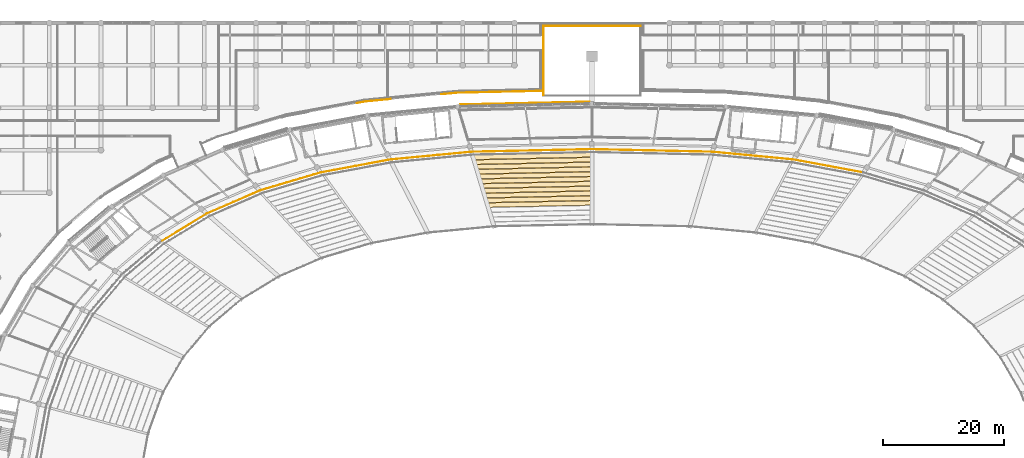
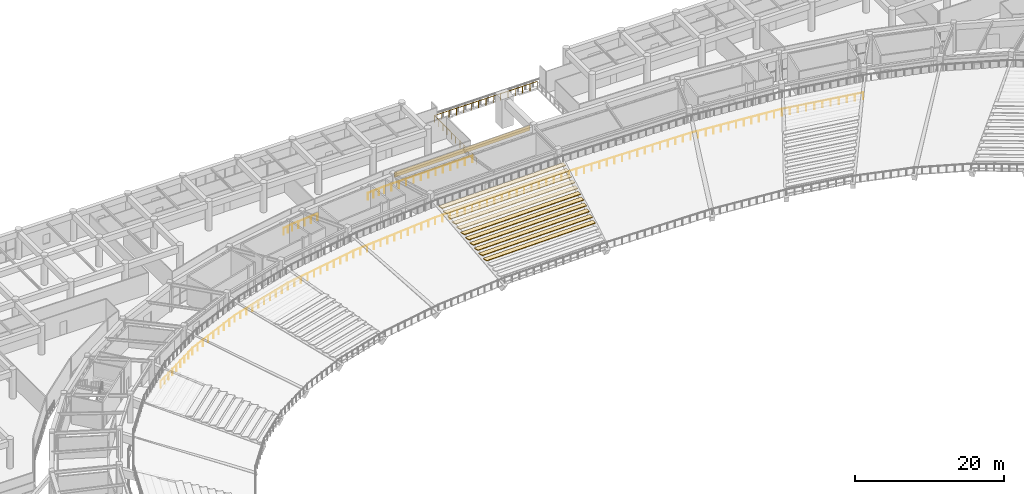
# One storey, part 134 of 137: 12 coverings, 4 railings.
"""IFC4 building model written with IfcOpenShell, lengths in metres."""

from ifc_helpers import new_model, si_unit, direction, frame, origin, origin_2d, place, context, subcontext, project, spatial, polyline, rectangle, circle, outline, extrude, material, layer, layer_set, type_object, element, save


model = new_model("IFC4")

# Units and contexts
model_context = context("Model", 3, precision=1e-05, world=origin(), true_north=direction((0.0, 1.0)))
body_context = subcontext(model_context, "Body", "Model", "MODEL_VIEW")
ifc_project = project(units=[si_unit("LENGTHUNIT", "METRE"), si_unit("AREAUNIT", "SQUARE_METRE"), si_unit("VOLUMEUNIT", "CUBIC_METRE"), si_unit("PLANEANGLEUNIT", "RADIAN"), si_unit("MASSUNIT", "GRAM", prefix="KILO")], contexts=[model_context])

# Site, building, storey
site_placement = place(None, origin())
site = spatial("IfcSite", under=ifc_project, at=site_placement, CompositionType="ELEMENT")
building_placement = place(site_placement, origin())
building = spatial("IfcBuilding", under=site, at=building_placement, Name="Mphavela Belvedere Stadium", CompositionType="ELEMENT")
storey_placement = place(building_placement, frame((0.0, 0.0, 19.199951171875)))
storey = spatial("IfcBuildingStorey", under=building, at=storey_placement, Name="L04", CompositionType="ELEMENT", Elevation=19.199951171875)

# Coverings
ifc_material_1 = material(Name="Carved classical limestone entablature frieze cladding", Category="masonry")
ifc_layer_1 = layer(ifc_material_1, 0.06005859375)
ifc_layer_set_1 = layer_set([ifc_layer_1], Name="Carved classical limestone entablature frieze cladding")
covering_type_1 = type_object("IfcCoveringType", Name="COV-FRIEZE-CLAD", PredefinedType="CLADDING", material=ifc_layer_set_1)
covering_1_placement = place(storey_placement, frame((103.935791015625, 160.751708984375, 3.594970703125), z_axis=(0.0, 0.0, 1.0), x_axis=(-0.999769581002, -0.02146590093, 0.0)))
element("IfcCovering", 1, at=covering_1_placement, inside=storey, type_object=covering_type_1, Name="Classical entablature frieze cladding L04-13", PredefinedType="CLADDING", context=body_context, shape_type="SweptSolid", body=[
    extrude(rectangle(XDim=21.32373046875, YDim=0.06005859375, at=origin_2d()), origin(), (0.0, 0.0, 1.0), 0.85009765625),
])
ifc_material_2 = material(Name="Precast seating row terrazzo finish", Category="concrete")
ifc_layer_2 = layer(ifc_material_2, 0.1201171875)
ifc_layer_set_2 = layer_set([ifc_layer_2], Name="Precast seating row terrazzo finish")
covering_type_2 = type_object("IfcCoveringType", Name="COV-SEAT-ROW-U", PredefinedType="FLOORING", material=ifc_layer_set_2)
covering_2_placement = place(storey_placement, frame((0.0, 0.0, -1.53662109375)))
element("IfcCovering", 2, at=covering_2_placement, inside=storey, type_object=covering_type_2, Name="Upper stand seating row bench B13-R05", PredefinedType="FLOORING", context=body_context, shape_type="SweptSolid", body=[
    extrude(outline(polyline([(115.0, 143.962158203125), (97.90087890625, 143.593994140625), (97.681884765625, 144.318115234375), (115.0, 144.691162109375), (115.0, 143.962158203125)])), origin(), (0.0, 0.0, 1.0), 0.119873046875),
])
covering_3_placement = place(storey_placement, frame((0.0, 0.0, -1.070068359375)))
element("IfcCovering", 3, at=covering_3_placement, inside=storey, type_object=covering_type_2, Name="Upper stand seating row bench B13-R06", PredefinedType="FLOORING", context=body_context, shape_type="SweptSolid", body=[
    extrude(outline(polyline([(115.0, 144.75439453125), (97.6630859375, 144.381103515625), (97.444091796875, 145.10546875), (115.0, 145.4833984375), (115.0, 144.75439453125)])), origin(), (0.0, 0.0, 1.0), 0.1201171875),
])
covering_4_placement = place(storey_placement, frame((0.0, 0.0, -0.603271484375)))
element("IfcCovering", 4, at=covering_4_placement, inside=storey, type_object=covering_type_2, Name="Upper stand seating row bench B13-R07", PredefinedType="FLOORING", context=body_context, shape_type="SweptSolid", body=[
    extrude(outline(polyline([(115.0, 145.546875), (97.425048828125, 145.16845703125), (97.206298828125, 145.892578125), (115.0, 146.275634765625), (115.0, 145.546875)])), origin(), (0.0, 0.0, 1.0), 0.1201171875),
])
covering_5_placement = place(storey_placement, frame((0.0, 0.0, -0.13671875)))
element("IfcCovering", 5, at=covering_5_placement, inside=storey, type_object=covering_type_2, Name="Upper stand seating row bench B13-R08", PredefinedType="FLOORING", context=body_context, shape_type="SweptSolid", body=[
    extrude(outline(polyline([(115.0, 146.339111328125), (97.187255859375, 145.95556640625), (96.968505859375, 146.6796875), (115.0, 147.068115234375), (115.0, 146.339111328125)])), origin(), (0.0, 0.0, 1.0), 0.1201171875),
])
covering_6_placement = place(storey_placement, frame((0.0, 0.0, 0.330078125)))
element("IfcCovering", 6, at=covering_6_placement, inside=storey, type_object=covering_type_2, Name="Upper stand seating row bench B13-R09", PredefinedType="FLOORING", context=body_context, shape_type="SweptSolid", body=[
    extrude(outline(polyline([(115.0, 147.13134765625), (96.949462890625, 146.74267578125), (96.730712890625, 147.466796875), (115.0, 147.8603515625), (115.0, 147.13134765625)])), origin(), (0.0, 0.0, 1.0), 0.119873046875),
])
covering_7_placement = place(storey_placement, frame((0.0, 0.0, 0.796630859375)))
element("IfcCovering", 7, at=covering_7_placement, inside=storey, type_object=covering_type_2, Name="Upper stand seating row bench B13-R10", PredefinedType="FLOORING", context=body_context, shape_type="SweptSolid", body=[
    extrude(outline(polyline([(115.0, 147.923583984375), (96.711669921875, 147.52978515625), (96.492919921875, 148.254150390625), (115.0, 148.652587890625), (115.0, 147.923583984375)])), origin(), (0.0, 0.0, 1.0), 0.1201171875),
])
covering_8_placement = place(storey_placement, frame((0.0, 0.0, 1.263427734375)))
element("IfcCovering", 8, at=covering_8_placement, inside=storey, type_object=covering_type_2, Name="Upper stand seating row bench B13-R11", PredefinedType="FLOORING", context=body_context, shape_type="SweptSolid", body=[
    extrude(outline(polyline([(115.0, 148.716064453125), (96.473876953125, 148.317138671875), (96.2548828125, 149.041259765625), (115.0, 149.44482421875), (115.0, 148.716064453125)])), origin(), (0.0, 0.0, 1.0), 0.119873046875),
])
covering_9_placement = place(storey_placement, frame((0.0, 0.0, 1.72998046875)))
element("IfcCovering", 9, at=covering_9_placement, inside=storey, type_object=covering_type_2, Name="Upper stand seating row bench B13-R12", PredefinedType="FLOORING", context=body_context, shape_type="SweptSolid", body=[
    extrude(outline(polyline([(115.0, 149.50830078125), (96.23583984375, 149.104248046875), (96.01708984375, 149.82861328125), (115.0, 150.2373046875), (115.0, 149.50830078125)])), origin(), (0.0, 0.0, 1.0), 0.1201171875),
])
covering_10_placement = place(storey_placement, frame((0.0, 0.0, 2.19677734375)))
element("IfcCovering", 10, at=covering_10_placement, inside=storey, type_object=covering_type_2, Name="Upper stand seating row bench B13-R13", PredefinedType="FLOORING", context=body_context, shape_type="SweptSolid", body=[
    extrude(outline(polyline([(115.0, 150.300537109375), (95.998046875, 149.8916015625), (95.779296875, 150.61572265625), (115.0, 151.029541015625), (115.0, 150.300537109375)])), origin(), (0.0, 0.0, 1.0), 0.119873046875),
])
covering_11_placement = place(storey_placement, frame((0.0, 0.0, 2.663330078125)))
element("IfcCovering", 11, at=covering_11_placement, inside=storey, type_object=covering_type_2, Name="Upper stand seating row bench B13-R14", PredefinedType="FLOORING", context=body_context, shape_type="SweptSolid", body=[
    extrude(outline(polyline([(115.0, 151.093017578125), (95.76025390625, 150.6787109375), (95.54150390625, 151.40283203125), (115.0, 151.82177734375), (115.0, 151.093017578125)])), origin(), (0.0, 0.0, 1.0), 0.1201171875),
])
covering_12_placement = place(storey_placement, frame((0.0, 0.0, 3.130126953125)))
element("IfcCovering", 12, at=covering_12_placement, inside=storey, type_object=covering_type_2, Name="Upper stand seating row bench B13-R15", PredefinedType="FLOORING", context=body_context, shape_type="SweptSolid", body=[
    extrude(outline(polyline([(115.0, 151.88525390625), (95.5224609375, 151.4658203125), (95.3037109375, 152.18994140625), (115.0, 152.614013671875), (115.0, 151.88525390625)])), origin(), (0.0, 0.0, 1.0), 0.119873046875),
])

# Railings
ifc_material_3 = material(Name="Bronze and laminated glass stadium balustrade", Category="glass")
railing_type = type_object("IfcRailingType", Name="RAL-BALUSTRADE-1120", PredefinedType="BALUSTRADE", material=ifc_material_3)
railing_1_placement = place(storey_placement, frame((123.0, 173.5, 0.0)))
element("IfcRailing", 13, at=railing_1_placement, inside=storey, type_object=railing_type, Name="North Mast and Ceremonial End Forecourt court balustrade L04-B", PredefinedType="BALUSTRADE", context=body_context, shape_type="SweptSolid", body=[
    extrude(circle(Radius=0.02392578125, at=origin_2d()), frame((0.0, 0.0, 1.09619140625), z_axis=(-1.0, 0.0, 0.0), x_axis=(0.0, -1.0, 0.0)), (0.0, 0.0, 1.0), 16.0),
    extrude(circle(Radius=0.02392578125, at=origin_2d()), frame((-16.0, 0.0, 1.09619140625), z_axis=(0.0, -1.0, 0.0), x_axis=(1.0, 0.0, 0.0)), (0.0, 0.0, 1.0), 11.419921875),
    extrude(circle(Radius=0.02099609375, at=origin_2d()), origin(), (0.0, 0.0, 1.0), 1.072021484375),
    extrude(circle(Radius=0.02099609375, at=origin_2d()), frame((-1.142822265625, 0.0, 0.0)), (0.0, 0.0, 1.0), 1.072021484375),
    extrude(circle(Radius=0.02099609375, at=origin_2d()), frame((-2.28564453125, 0.0, 0.0)), (0.0, 0.0, 1.0), 1.072021484375),
    extrude(circle(Radius=0.02099609375, at=origin_2d()), frame((-3.428466796875, 0.0, 0.0)), (0.0, 0.0, 1.0), 1.072021484375),
    extrude(circle(Radius=0.02099609375, at=origin_2d()), frame((-4.571533203125, 0.0, 0.0)), (0.0, 0.0, 1.0), 1.072021484375),
    extrude(circle(Radius=0.02099609375, at=origin_2d()), frame((-5.71435546875, 0.0, 0.0)), (0.0, 0.0, 1.0), 1.072021484375),
    extrude(circle(Radius=0.02099609375, at=origin_2d()), frame((-6.857177734375, 0.0, 0.0)), (0.0, 0.0, 1.0), 1.072021484375),
    extrude(circle(Radius=0.02099609375, at=origin_2d()), frame((-8.0, 0.0, 0.0)), (0.0, 0.0, 1.0), 1.072021484375),
    extrude(circle(Radius=0.02099609375, at=origin_2d()), frame((-9.142822265625, 0.0, 0.0)), (0.0, 0.0, 1.0), 1.072021484375),
    extrude(circle(Radius=0.02099609375, at=origin_2d()), frame((-10.28564453125, 0.0, 0.0)), (0.0, 0.0, 1.0), 1.072021484375),
    extrude(circle(Radius=0.02099609375, at=origin_2d()), frame((-11.428466796875, 0.0, 0.0)), (0.0, 0.0, 1.0), 1.072021484375),
    extrude(circle(Radius=0.02099609375, at=origin_2d()), frame((-12.571533203125, 0.0, 0.0)), (0.0, 0.0, 1.0), 1.072021484375),
    extrude(circle(Radius=0.02099609375, at=origin_2d()), frame((-13.71435546875, 0.0, 0.0)), (0.0, 0.0, 1.0), 1.072021484375),
    extrude(circle(Radius=0.02099609375, at=origin_2d()), frame((-14.857177734375, 0.0, 0.0)), (0.0, 0.0, 1.0), 1.072021484375),
    extrude(circle(Radius=0.02099609375, at=origin_2d()), frame((-16.0, 0.0, 0.0)), (0.0, 0.0, 1.0), 1.072021484375),
    extrude(circle(Radius=0.02099609375, at=origin_2d()), frame((-16.0, -1.14208984375, 0.0)), (0.0, 0.0, 1.0), 1.072021484375),
    extrude(circle(Radius=0.02099609375, at=origin_2d()), frame((-16.0, -2.283935546875, 0.0)), (0.0, 0.0, 1.0), 1.072021484375),
    extrude(circle(Radius=0.02099609375, at=origin_2d()), frame((-16.0, -3.426025390625, 0.0)), (0.0, 0.0, 1.0), 1.072021484375),
    extrude(circle(Radius=0.02099609375, at=origin_2d()), frame((-16.0, -4.56787109375, 0.0)), (0.0, 0.0, 1.0), 1.072021484375),
    extrude(circle(Radius=0.02099609375, at=origin_2d()), frame((-16.0, -5.7099609375, 0.0)), (0.0, 0.0, 1.0), 1.072021484375),
    extrude(circle(Radius=0.02099609375, at=origin_2d()), frame((-16.0, -6.85205078125, 0.0)), (0.0, 0.0, 1.0), 1.072021484375),
    extrude(circle(Radius=0.02099609375, at=origin_2d()), frame((-16.0, -7.993896484375, 0.0)), (0.0, 0.0, 1.0), 1.072021484375),
    extrude(circle(Radius=0.02099609375, at=origin_2d()), frame((-16.0, -9.135986328125, 0.0)), (0.0, 0.0, 1.0), 1.072021484375),
    extrude(circle(Radius=0.02099609375, at=origin_2d()), frame((-16.0, -10.27783203125, 0.0)), (0.0, 0.0, 1.0), 1.072021484375),
    extrude(circle(Radius=0.02099609375, at=origin_2d()), frame((-16.0, -11.419921875, 0.0)), (0.0, 0.0, 1.0), 1.072021484375),
])
railing_2_placement = place(storey_placement, frame((159.72705078125, 149.326416015625, 0.0)))
element("IfcRailing", 14, at=railing_2_placement, inside=storey, type_object=railing_type, Name="Upper bowl concourse balustrade L04-G2", PredefinedType="BALUSTRADE", context=body_context, shape_type="SweptSolid", body=[
    extrude(circle(Radius=0.02392578125, at=origin_2d()), frame((0.0, 0.0, 1.09619140625), z_axis=(-0.983097019328, 0.183085364213, 0.0), x_axis=(-0.183085364213, -0.983097019328, 0.0)), (0.0, 0.0, 1.0), 11.6279296875),
    extrude(circle(Radius=0.02392578125, at=origin_2d()), frame((-11.431396484375, 2.12890625, 1.09619140625), z_axis=(-0.995484652268, 0.094922637441, 0.0), x_axis=(-0.094922637441, -0.995484652268, 0.0)), (0.0, 0.0, 1.0), 13.495361328125),
    extrude(circle(Radius=0.02392578125, at=origin_2d()), frame((-24.86572265625, 3.409912109375, 1.09619140625), z_axis=(-0.999768180107, 0.021531048426, 0.0), x_axis=(-0.021531048426, -0.999768180107, 0.0)), (0.0, 0.0, 1.0), 19.865966796875),
    extrude(circle(Radius=0.02392578125, at=origin_2d()), frame((-44.72705078125, 3.837646484375, 1.09619140625), z_axis=(-0.999768180107, -0.021531048426, 0.0), x_axis=(0.021531048426, -0.999768180107, 0.0)), (0.0, 0.0, 1.0), 19.865966796875),
    extrude(circle(Radius=0.02392578125, at=origin_2d()), frame((-64.58837890625, 3.409912109375, 1.09619140625), z_axis=(-0.995484652268, -0.094922637441, 0.0), x_axis=(0.094922637441, -0.995484652268, 0.0)), (0.0, 0.0, 1.0), 13.495361328125),
    extrude(circle(Radius=0.02392578125, at=origin_2d()), frame((-78.022705078125, 2.12890625, 1.09619140625), z_axis=(-0.983097019328, -0.183085364213, 0.0), x_axis=(0.183085364213, -0.983097019328, 0.0)), (0.0, 0.0, 1.0), 11.6279296875),
    extrude(circle(Radius=0.02392578125, at=origin_2d()), frame((-89.4541015625, 0.0, 1.09619140625), z_axis=(-0.958653749155, -0.284575102972, 0.0), x_axis=(0.284575102972, -0.958653749155, 0.0)), (0.0, 0.0, 1.0), 10.43310546875),
    extrude(circle(Radius=0.02392578125, at=origin_2d()), frame((-99.455810546875, -2.968994140625, 1.09619140625), z_axis=(-0.917501847377, -0.39773151756, 0.0), x_axis=(0.39773151756, -0.917501847377, 0.0)), (0.0, 0.0, 1.0), 9.552490234375),
    extrude(circle(Radius=0.02392578125, at=origin_2d()), frame((-108.22021484375, -6.768310546875, 1.09619140625), z_axis=(-0.85432046282, -0.519746617889, 0.0), x_axis=(0.519746617889, -0.85432046282, 0.0)), (0.0, 0.0, 1.0), 8.892822265625),
    extrude(circle(Radius=0.02099609375, at=origin_2d()), origin(), (0.0, 0.0, 1.0), 1.072021484375),
    extrude(circle(Radius=0.02099609375, at=origin_2d()), frame((-1.14306640625, 0.212890625, 0.0)), (0.0, 0.0, 1.0), 1.072021484375),
    extrude(circle(Radius=0.02099609375, at=origin_2d()), frame((-2.286376953125, 0.42578125, 0.0)), (0.0, 0.0, 1.0), 1.072021484375),
    extrude(circle(Radius=0.02099609375, at=origin_2d()), frame((-3.429443359375, 0.638671875, 0.0)), (0.0, 0.0, 1.0), 1.072021484375),
    extrude(circle(Radius=0.02099609375, at=origin_2d()), frame((-4.572509765625, 0.8515625, 0.0)), (0.0, 0.0, 1.0), 1.072021484375),
    extrude(circle(Radius=0.02099609375, at=origin_2d()), frame((-5.7158203125, 1.064453125, 0.0)), (0.0, 0.0, 1.0), 1.072021484375),
    extrude(circle(Radius=0.02099609375, at=origin_2d()), frame((-6.85888671875, 1.27734375, 0.0)), (0.0, 0.0, 1.0), 1.072021484375),
    extrude(circle(Radius=0.02099609375, at=origin_2d()), frame((-8.001953125, 1.490234375, 0.0)), (0.0, 0.0, 1.0), 1.072021484375),
    extrude(circle(Radius=0.02099609375, at=origin_2d()), frame((-9.14501953125, 1.703125, 0.0)), (0.0, 0.0, 1.0), 1.072021484375),
    extrude(circle(Radius=0.02099609375, at=origin_2d()), frame((-10.288330078125, 1.916015625, 0.0)), (0.0, 0.0, 1.0), 1.072021484375),
    extrude(circle(Radius=0.02099609375, at=origin_2d()), frame((-11.431396484375, 2.12890625, 0.0)), (0.0, 0.0, 1.0), 1.072021484375),
    extrude(circle(Radius=0.02099609375, at=origin_2d()), frame((-12.551025390625, 2.235595703125, 0.0)), (0.0, 0.0, 1.0), 1.072021484375),
    extrude(circle(Radius=0.02099609375, at=origin_2d()), frame((-13.67041015625, 2.34228515625, 0.0)), (0.0, 0.0, 1.0), 1.072021484375),
    extrude(circle(Radius=0.02099609375, at=origin_2d()), frame((-14.7900390625, 2.44921875, 0.0)), (0.0, 0.0, 1.0), 1.072021484375),
    extrude(circle(Radius=0.02099609375, at=origin_2d()), frame((-15.909423828125, 2.555908203125, 0.0)), (0.0, 0.0, 1.0), 1.072021484375),
    extrude(circle(Radius=0.02099609375, at=origin_2d()), frame((-17.029052734375, 2.66259765625, 0.0)), (0.0, 0.0, 1.0), 1.072021484375),
    extrude(circle(Radius=0.02099609375, at=origin_2d()), frame((-18.1484375, 2.76953125, 0.0)), (0.0, 0.0, 1.0), 1.072021484375),
    extrude(circle(Radius=0.02099609375, at=origin_2d()), frame((-19.26806640625, 2.876220703125, 0.0)), (0.0, 0.0, 1.0), 1.072021484375),
    extrude(circle(Radius=0.02099609375, at=origin_2d()), frame((-20.3876953125, 2.98291015625, 0.0)), (0.0, 0.0, 1.0), 1.072021484375),
    extrude(circle(Radius=0.02099609375, at=origin_2d()), frame((-21.507080078125, 3.089599609375, 0.0)), (0.0, 0.0, 1.0), 1.072021484375),
    extrude(circle(Radius=0.02099609375, at=origin_2d()), frame((-22.626708984375, 3.1962890625, 0.0)), (0.0, 0.0, 1.0), 1.072021484375),
    extrude(circle(Radius=0.02099609375, at=origin_2d()), frame((-23.74609375, 3.30322265625, 0.0)), (0.0, 0.0, 1.0), 1.072021484375),
    extrude(circle(Radius=0.02099609375, at=origin_2d()), frame((-24.86572265625, 3.409912109375, 0.0)), (0.0, 0.0, 1.0), 1.072021484375),
    extrude(circle(Radius=0.02099609375, at=origin_2d()), frame((-26.033935546875, 3.43505859375, 0.0)), (0.0, 0.0, 1.0), 1.072021484375),
    extrude(circle(Radius=0.02099609375, at=origin_2d()), frame((-27.202392578125, 3.460205078125, 0.0)), (0.0, 0.0, 1.0), 1.072021484375),
    extrude(circle(Radius=0.02099609375, at=origin_2d()), frame((-28.37060546875, 3.4853515625, 0.0)), (0.0, 0.0, 1.0), 1.072021484375),
    extrude(circle(Radius=0.02099609375, at=origin_2d()), frame((-29.5390625, 3.510498046875, 0.0)), (0.0, 0.0, 1.0), 1.072021484375),
    extrude(circle(Radius=0.02099609375, at=origin_2d()), frame((-30.707275390625, 3.53564453125, 0.0)), (0.0, 0.0, 1.0), 1.072021484375),
    extrude(circle(Radius=0.02099609375, at=origin_2d()), frame((-31.87548828125, 3.560791015625, 0.0)), (0.0, 0.0, 1.0), 1.072021484375),
    extrude(circle(Radius=0.02099609375, at=origin_2d()), frame((-33.0439453125, 3.5859375, 0.0)), (0.0, 0.0, 1.0), 1.072021484375),
    extrude(circle(Radius=0.02099609375, at=origin_2d()), frame((-34.212158203125, 3.611083984375, 0.0)), (0.0, 0.0, 1.0), 1.072021484375),
    extrude(circle(Radius=0.02099609375, at=origin_2d()), frame((-35.380615234375, 3.636474609375, 0.0)), (0.0, 0.0, 1.0), 1.072021484375),
    extrude(circle(Radius=0.02099609375, at=origin_2d()), frame((-36.548828125, 3.66162109375, 0.0)), (0.0, 0.0, 1.0), 1.072021484375),
    extrude(circle(Radius=0.02099609375, at=origin_2d()), frame((-37.71728515625, 3.686767578125, 0.0)), (0.0, 0.0, 1.0), 1.072021484375),
    extrude(circle(Radius=0.02099609375, at=origin_2d()), frame((-38.885498046875, 3.7119140625, 0.0)), (0.0, 0.0, 1.0), 1.072021484375),
    extrude(circle(Radius=0.02099609375, at=origin_2d()), frame((-40.0537109375, 3.737060546875, 0.0)), (0.0, 0.0, 1.0), 1.072021484375),
    extrude(circle(Radius=0.02099609375, at=origin_2d()), frame((-41.22216796875, 3.76220703125, 0.0)), (0.0, 0.0, 1.0), 1.072021484375),
    extrude(circle(Radius=0.02099609375, at=origin_2d()), frame((-42.390380859375, 3.787353515625, 0.0)), (0.0, 0.0, 1.0), 1.072021484375),
    extrude(circle(Radius=0.02099609375, at=origin_2d()), frame((-43.558837890625, 3.8125, 0.0)), (0.0, 0.0, 1.0), 1.072021484375),
    extrude(circle(Radius=0.02099609375, at=origin_2d()), frame((-44.72705078125, 3.837646484375, 0.0)), (0.0, 0.0, 1.0), 1.072021484375),
    extrude(circle(Radius=0.02099609375, at=origin_2d()), frame((-45.895263671875, 3.8125, 0.0)), (0.0, 0.0, 1.0), 1.072021484375),
    extrude(circle(Radius=0.02099609375, at=origin_2d()), frame((-47.063720703125, 3.787353515625, 0.0)), (0.0, 0.0, 1.0), 1.072021484375),
    extrude(circle(Radius=0.02099609375, at=origin_2d()), frame((-48.23193359375, 3.76220703125, 0.0)), (0.0, 0.0, 1.0), 1.072021484375),
    extrude(circle(Radius=0.02099609375, at=origin_2d()), frame((-49.400390625, 3.737060546875, 0.0)), (0.0, 0.0, 1.0), 1.072021484375),
    extrude(circle(Radius=0.02099609375, at=origin_2d()), frame((-50.568603515625, 3.7119140625, 0.0)), (0.0, 0.0, 1.0), 1.072021484375),
    extrude(circle(Radius=0.02099609375, at=origin_2d()), frame((-51.73681640625, 3.686767578125, 0.0)), (0.0, 0.0, 1.0), 1.072021484375),
    extrude(circle(Radius=0.02099609375, at=origin_2d()), frame((-52.9052734375, 3.66162109375, 0.0)), (0.0, 0.0, 1.0), 1.072021484375),
    extrude(circle(Radius=0.02099609375, at=origin_2d()), frame((-54.073486328125, 3.636474609375, 0.0)), (0.0, 0.0, 1.0), 1.072021484375),
    extrude(circle(Radius=0.02099609375, at=origin_2d()), frame((-55.241943359375, 3.611083984375, 0.0)), (0.0, 0.0, 1.0), 1.072021484375),
    extrude(circle(Radius=0.02099609375, at=origin_2d()), frame((-56.41015625, 3.5859375, 0.0)), (0.0, 0.0, 1.0), 1.072021484375),
    extrude(circle(Radius=0.02099609375, at=origin_2d()), frame((-57.57861328125, 3.560791015625, 0.0)), (0.0, 0.0, 1.0), 1.072021484375),
    extrude(circle(Radius=0.02099609375, at=origin_2d()), frame((-58.746826171875, 3.53564453125, 0.0)), (0.0, 0.0, 1.0), 1.072021484375),
    extrude(circle(Radius=0.02099609375, at=origin_2d()), frame((-59.9150390625, 3.510498046875, 0.0)), (0.0, 0.0, 1.0), 1.072021484375),
    extrude(circle(Radius=0.02099609375, at=origin_2d()), frame((-61.08349609375, 3.4853515625, 0.0)), (0.0, 0.0, 1.0), 1.072021484375),
    extrude(circle(Radius=0.02099609375, at=origin_2d()), frame((-62.251708984375, 3.460205078125, 0.0)), (0.0, 0.0, 1.0), 1.072021484375),
    extrude(circle(Radius=0.02099609375, at=origin_2d()), frame((-63.420166015625, 3.43505859375, 0.0)), (0.0, 0.0, 1.0), 1.072021484375),
    extrude(circle(Radius=0.02099609375, at=origin_2d()), frame((-64.58837890625, 3.409912109375, 0.0)), (0.0, 0.0, 1.0), 1.072021484375),
    extrude(circle(Radius=0.02099609375, at=origin_2d()), frame((-65.7080078125, 3.30322265625, 0.0)), (0.0, 0.0, 1.0), 1.072021484375),
    extrude(circle(Radius=0.02099609375, at=origin_2d()), frame((-66.827392578125, 3.1962890625, 0.0)), (0.0, 0.0, 1.0), 1.072021484375),
    extrude(circle(Radius=0.02099609375, at=origin_2d()), frame((-67.947021484375, 3.089599609375, 0.0)), (0.0, 0.0, 1.0), 1.072021484375),
    extrude(circle(Radius=0.02099609375, at=origin_2d()), frame((-69.06640625, 2.98291015625, 0.0)), (0.0, 0.0, 1.0), 1.072021484375),
    extrude(circle(Radius=0.02099609375, at=origin_2d()), frame((-70.18603515625, 2.876220703125, 0.0)), (0.0, 0.0, 1.0), 1.072021484375),
    extrude(circle(Radius=0.02099609375, at=origin_2d()), frame((-71.3056640625, 2.76953125, 0.0)), (0.0, 0.0, 1.0), 1.072021484375),
    extrude(circle(Radius=0.02099609375, at=origin_2d()), frame((-72.425048828125, 2.66259765625, 0.0)), (0.0, 0.0, 1.0), 1.072021484375),
    extrude(circle(Radius=0.02099609375, at=origin_2d()), frame((-73.544677734375, 2.555908203125, 0.0)), (0.0, 0.0, 1.0), 1.072021484375),
    extrude(circle(Radius=0.02099609375, at=origin_2d()), frame((-74.6640625, 2.44921875, 0.0)), (0.0, 0.0, 1.0), 1.072021484375),
    extrude(circle(Radius=0.02099609375, at=origin_2d()), frame((-75.78369140625, 2.34228515625, 0.0)), (0.0, 0.0, 1.0), 1.072021484375),
    extrude(circle(Radius=0.02099609375, at=origin_2d()), frame((-76.903076171875, 2.235595703125, 0.0)), (0.0, 0.0, 1.0), 1.072021484375),
    extrude(circle(Radius=0.02099609375, at=origin_2d()), frame((-78.022705078125, 2.12890625, 0.0)), (0.0, 0.0, 1.0), 1.072021484375),
    extrude(circle(Radius=0.02099609375, at=origin_2d()), frame((-79.165771484375, 1.916015625, 0.0)), (0.0, 0.0, 1.0), 1.072021484375),
    extrude(circle(Radius=0.02099609375, at=origin_2d()), frame((-80.30908203125, 1.703125, 0.0)), (0.0, 0.0, 1.0), 1.072021484375),
    extrude(circle(Radius=0.02099609375, at=origin_2d()), frame((-81.4521484375, 1.490234375, 0.0)), (0.0, 0.0, 1.0), 1.072021484375),
    extrude(circle(Radius=0.02099609375, at=origin_2d()), frame((-82.59521484375, 1.27734375, 0.0)), (0.0, 0.0, 1.0), 1.072021484375),
    extrude(circle(Radius=0.02099609375, at=origin_2d()), frame((-83.73828125, 1.064453125, 0.0)), (0.0, 0.0, 1.0), 1.072021484375),
    extrude(circle(Radius=0.02099609375, at=origin_2d()), frame((-84.881591796875, 0.8515625, 0.0)), (0.0, 0.0, 1.0), 1.072021484375),
    extrude(circle(Radius=0.02099609375, at=origin_2d()), frame((-86.024658203125, 0.638671875, 0.0)), (0.0, 0.0, 1.0), 1.072021484375),
    extrude(circle(Radius=0.02099609375, at=origin_2d()), frame((-87.167724609375, 0.42578125, 0.0)), (0.0, 0.0, 1.0), 1.072021484375),
    extrude(circle(Radius=0.02099609375, at=origin_2d()), frame((-88.31103515625, 0.212890625, 0.0)), (0.0, 0.0, 1.0), 1.072021484375),
    extrude(circle(Radius=0.02099609375, at=origin_2d()), frame((-89.4541015625, 0.0, 0.0)), (0.0, 0.0, 1.0), 1.072021484375),
    extrude(circle(Radius=0.02099609375, at=origin_2d()), frame((-90.5654296875, -0.329833984375, 0.0)), (0.0, 0.0, 1.0), 1.072021484375),
    extrude(circle(Radius=0.02099609375, at=origin_2d()), frame((-91.6767578125, -0.65966796875, 0.0)), (0.0, 0.0, 1.0), 1.072021484375),
    extrude(circle(Radius=0.02099609375, at=origin_2d()), frame((-92.7880859375, -0.98974609375, 0.0)), (0.0, 0.0, 1.0), 1.072021484375),
    extrude(circle(Radius=0.02099609375, at=origin_2d()), frame((-93.8994140625, -1.319580078125, 0.0)), (0.0, 0.0, 1.0), 1.072021484375),
    extrude(circle(Radius=0.02099609375, at=origin_2d()), frame((-95.010498046875, -1.6494140625, 0.0)), (0.0, 0.0, 1.0), 1.072021484375),
    extrude(circle(Radius=0.02099609375, at=origin_2d()), frame((-96.121826171875, -1.979248046875, 0.0)), (0.0, 0.0, 1.0), 1.072021484375),
    extrude(circle(Radius=0.02099609375, at=origin_2d()), frame((-97.233154296875, -2.309326171875, 0.0)), (0.0, 0.0, 1.0), 1.072021484375),
    extrude(circle(Radius=0.02099609375, at=origin_2d()), frame((-98.344482421875, -2.63916015625, 0.0)), (0.0, 0.0, 1.0), 1.072021484375),
    extrude(circle(Radius=0.02099609375, at=origin_2d()), frame((-99.455810546875, -2.968994140625, 0.0)), (0.0, 0.0, 1.0), 1.072021484375),
    extrude(circle(Radius=0.02099609375, at=origin_2d()), frame((-100.55126953125, -3.44384765625, 0.0)), (0.0, 0.0, 1.0), 1.072021484375),
    extrude(circle(Radius=0.02099609375, at=origin_2d()), frame((-101.64697265625, -3.9189453125, 0.0)), (0.0, 0.0, 1.0), 1.072021484375),
    extrude(circle(Radius=0.02099609375, at=origin_2d()), frame((-102.742431640625, -4.393798828125, 0.0)), (0.0, 0.0, 1.0), 1.072021484375),
    extrude(circle(Radius=0.02099609375, at=origin_2d()), frame((-103.837890625, -4.86865234375, 0.0)), (0.0, 0.0, 1.0), 1.072021484375),
    extrude(circle(Radius=0.02099609375, at=origin_2d()), frame((-104.93359375, -5.343505859375, 0.0)), (0.0, 0.0, 1.0), 1.072021484375),
    extrude(circle(Radius=0.02099609375, at=origin_2d()), frame((-106.029052734375, -5.818359375, 0.0)), (0.0, 0.0, 1.0), 1.072021484375),
    extrude(circle(Radius=0.02099609375, at=origin_2d()), frame((-107.124755859375, -6.29345703125, 0.0)), (0.0, 0.0, 1.0), 1.072021484375),
    extrude(circle(Radius=0.02099609375, at=origin_2d()), frame((-108.22021484375, -6.768310546875, 0.0)), (0.0, 0.0, 1.0), 1.072021484375),
    extrude(circle(Radius=0.02099609375, at=origin_2d()), frame((-109.169921875, -7.34619140625, 0.0)), (0.0, 0.0, 1.0), 1.072021484375),
    extrude(circle(Radius=0.02099609375, at=origin_2d()), frame((-110.11962890625, -7.923828125, 0.0)), (0.0, 0.0, 1.0), 1.072021484375),
    extrude(circle(Radius=0.02099609375, at=origin_2d()), frame((-111.0693359375, -8.50146484375, 0.0)), (0.0, 0.0, 1.0), 1.072021484375),
    extrude(circle(Radius=0.02099609375, at=origin_2d()), frame((-112.01904296875, -9.079345703125, 0.0)), (0.0, 0.0, 1.0), 1.072021484375),
    extrude(circle(Radius=0.02099609375, at=origin_2d()), frame((-112.968505859375, -9.6572265625, 0.0)), (0.0, 0.0, 1.0), 1.072021484375),
    extrude(circle(Radius=0.02099609375, at=origin_2d()), frame((-113.918212890625, -10.23486328125, 0.0)), (0.0, 0.0, 1.0), 1.072021484375),
    extrude(circle(Radius=0.02099609375, at=origin_2d()), frame((-114.867919921875, -10.8125, 0.0)), (0.0, 0.0, 1.0), 1.072021484375),
    extrude(circle(Radius=0.02099609375, at=origin_2d()), frame((-115.817626953125, -11.390380859375, 0.0)), (0.0, 0.0, 1.0), 1.072021484375),
])
railing_3_placement = place(storey_placement, frame((106.719970703125, 162.772216796875, 0.0)))
element("IfcRailing", 15, at=railing_3_placement, inside=storey, type_object=railing_type, Name="Peristyle wing gallery edge balustrade L04-30", PredefinedType="BALUSTRADE", context=body_context, shape_type="SweptSolid", body=[
    extrude(circle(Radius=0.02392578125, at=origin_2d()), frame((0.0, 0.0, 1.09619140625), z_axis=(-0.999768449316, -0.021518544383, 0.0), x_axis=(0.021518544383, -0.999768449316, 0.0)), (0.0, 0.0, 1.0), 13.886962890625),
    extrude(circle(Radius=0.02392578125, at=origin_2d()), frame((-13.8837890625, -0.298828125, 1.09619140625), z_axis=(-0.995701021034, -0.09262546471, 0.0), x_axis=(0.09262546471, -0.995701021034, 0.0)), (0.0, 0.0, 1.0), 2.685791015625),
    extrude(circle(Radius=0.02099609375, at=origin_2d()), origin(), (0.0, 0.0, 1.0), 1.072021484375),
    extrude(circle(Radius=0.02099609375, at=origin_2d()), frame((-1.156982421875, -0.02490234375, 0.0)), (0.0, 0.0, 1.0), 1.072021484375),
    extrude(circle(Radius=0.02099609375, at=origin_2d()), frame((-2.31396484375, -0.0498046875, 0.0)), (0.0, 0.0, 1.0), 1.072021484375),
    extrude(circle(Radius=0.02099609375, at=origin_2d()), frame((-3.470947265625, -0.07470703125, 0.0)), (0.0, 0.0, 1.0), 1.072021484375),
    extrude(circle(Radius=0.02099609375, at=origin_2d()), frame((-4.6279296875, -0.099609375, 0.0)), (0.0, 0.0, 1.0), 1.072021484375),
    extrude(circle(Radius=0.02099609375, at=origin_2d()), frame((-5.784912109375, -0.12451171875, 0.0)), (0.0, 0.0, 1.0), 1.072021484375),
    extrude(circle(Radius=0.02099609375, at=origin_2d()), frame((-6.94189453125, -0.1494140625, 0.0)), (0.0, 0.0, 1.0), 1.072021484375),
    extrude(circle(Radius=0.02099609375, at=origin_2d()), frame((-8.098876953125, -0.17431640625, 0.0)), (0.0, 0.0, 1.0), 1.072021484375),
    extrude(circle(Radius=0.02099609375, at=origin_2d()), frame((-9.255859375, -0.19921875, 0.0)), (0.0, 0.0, 1.0), 1.072021484375),
    extrude(circle(Radius=0.02099609375, at=origin_2d()), frame((-10.412841796875, -0.22412109375, 0.0)), (0.0, 0.0, 1.0), 1.072021484375),
    extrude(circle(Radius=0.02099609375, at=origin_2d()), frame((-11.56982421875, -0.2490234375, 0.0)), (0.0, 0.0, 1.0), 1.072021484375),
    extrude(circle(Radius=0.02099609375, at=origin_2d()), frame((-12.726806640625, -0.27392578125, 0.0)), (0.0, 0.0, 1.0), 1.072021484375),
    extrude(circle(Radius=0.02099609375, at=origin_2d()), frame((-13.8837890625, -0.298828125, 0.0)), (0.0, 0.0, 1.0), 1.072021484375),
    extrude(circle(Radius=0.02099609375, at=origin_2d()), frame((-14.775146484375, -0.3818359375, 0.0)), (0.0, 0.0, 1.0), 1.072021484375),
    extrude(circle(Radius=0.02099609375, at=origin_2d()), frame((-15.666748046875, -0.464599609375, 0.0)), (0.0, 0.0, 1.0), 1.072021484375),
    extrude(circle(Radius=0.02099609375, at=origin_2d()), frame((-16.55810546875, -0.547607421875, 0.0)), (0.0, 0.0, 1.0), 1.072021484375),
])
railing_4_placement = place(storey_placement, frame((81.826904296875, 161.4296875, 0.0)))
element("IfcRailing", 16, at=railing_4_placement, inside=storey, type_object=railing_type, Name="Peristyle wing gallery edge balustrade L04-31", PredefinedType="BALUSTRADE", context=body_context, shape_type="SweptSolid", body=[
    extrude(circle(Radius=0.02392578125, at=origin_2d()), frame((0.0, 0.0, 1.09619140625), z_axis=(-0.995482726016, -0.094942836503, 0.0), x_axis=(0.094942836503, -0.995482726016, 0.0)), (0.0, 0.0, 1.0), 4.135009765625),
    extrude(circle(Radius=0.02392578125, at=origin_2d()), frame((-4.1162109375, -0.392578125, 1.09619140625), z_axis=(-0.984163739647, -0.177261765658, 0.0), x_axis=(0.177261765658, -0.984163739647, 0.0)), (0.0, 0.0, 1.0), 1.52197265625),
    extrude(circle(Radius=0.02099609375, at=origin_2d()), origin(), (0.0, 0.0, 1.0), 1.072021484375),
    extrude(circle(Radius=0.02099609375, at=origin_2d()), frame((-1.029052734375, -0.09814453125, 0.0)), (0.0, 0.0, 1.0), 1.072021484375),
    extrude(circle(Radius=0.02099609375, at=origin_2d()), frame((-2.05810546875, -0.1962890625, 0.0)), (0.0, 0.0, 1.0), 1.072021484375),
    extrude(circle(Radius=0.02099609375, at=origin_2d()), frame((-3.087158203125, -0.29443359375, 0.0)), (0.0, 0.0, 1.0), 1.072021484375),
    extrude(circle(Radius=0.02099609375, at=origin_2d()), frame((-4.1162109375, -0.392578125, 0.0)), (0.0, 0.0, 1.0), 1.072021484375),
    extrude(circle(Radius=0.02099609375, at=origin_2d()), frame((-4.865234375, -0.52734375, 0.0)), (0.0, 0.0, 1.0), 1.072021484375),
    extrude(circle(Radius=0.02099609375, at=origin_2d()), frame((-5.614013671875, -0.662353515625, 0.0)), (0.0, 0.0, 1.0), 1.072021484375),
])

save(model, "model.ifc")
